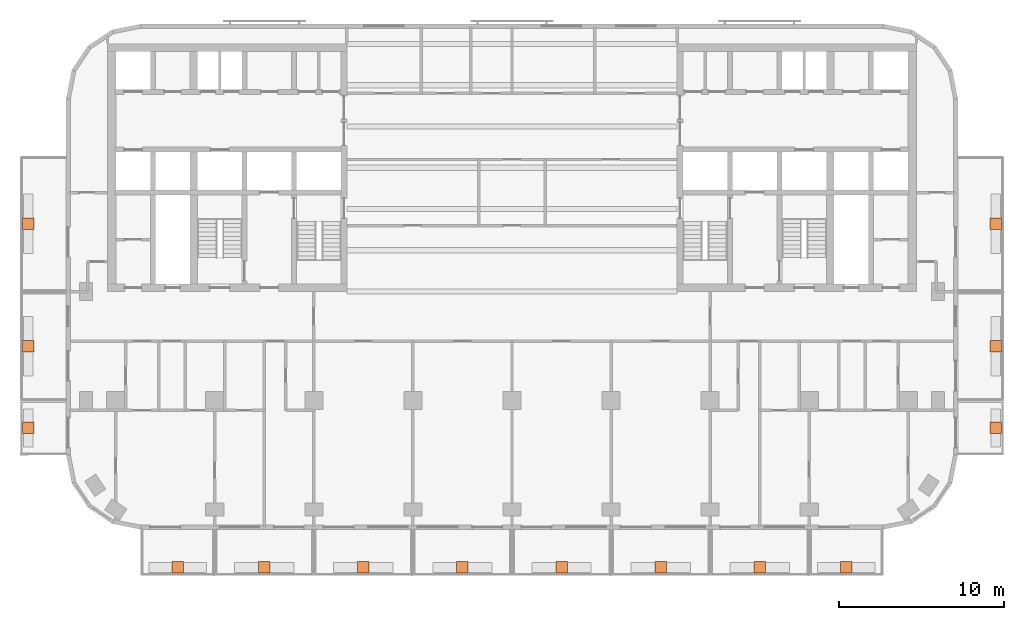
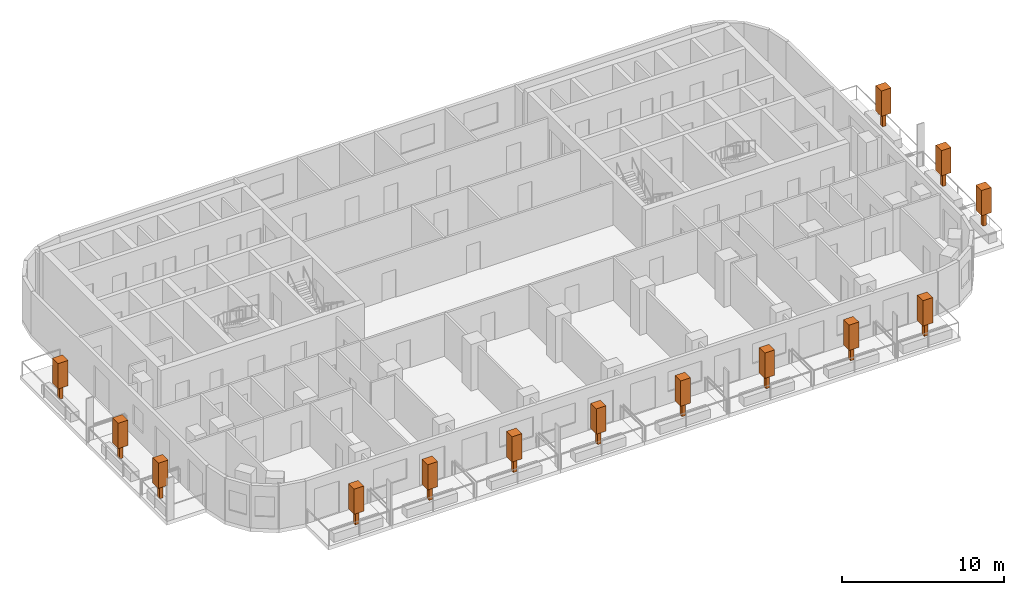
# One storey, part 12 of 12: 14 geographic elements.
"""IFC4 building model written with IfcOpenShell, lengths in metres."""

from ifc_helpers import new_model, si_unit, direction, frame, origin, origin_2d, place, context, subcontext, project, spatial, rectangle, extrude, material, element, save


model = new_model("IFC4")

# Units and contexts
model_context = context("Model", 3, precision=1e-05, world=origin(), true_north=direction((0.0, 1.0)))
body_context = subcontext(model_context, "Body", "Model", "MODEL_VIEW")
ifc_project = project(units=[si_unit("LENGTHUNIT", "METRE"), si_unit("AREAUNIT", "SQUARE_METRE"), si_unit("VOLUMEUNIT", "CUBIC_METRE"), si_unit("PLANEANGLEUNIT", "RADIAN"), si_unit("MASSUNIT", "GRAM", prefix="KILO")], contexts=[model_context])

# Site, building, storey
site_placement = place(None, origin())
site = spatial("IfcSite", under=ifc_project, at=site_placement, CompositionType="ELEMENT")
building_placement = place(site_placement, origin())
building = spatial("IfcBuilding", under=site, at=building_placement, Name="Torana Hotel and Residences", CompositionType="ELEMENT")
storey_placement = place(building_placement, frame((0.0, 0.0, 197.60009765625)))
storey = spatial("IfcBuildingStorey", under=building, at=storey_placement, Name="L51", CompositionType="ELEMENT", Elevation=197.60009765625)

# Geographic elements
ifc_material = material(Name="Foliage", Category="planting")
for number, where, z_axis, x_axis, name in (
    (1, (-20.25, -31.699951171875, 0.64990234375), (0.0, 0.0, 1.0), (1.0, 0.0, 0.0), "Tree 01"),
    (2, (-15.0, -31.699951171875, 0.64990234375), (0.0, 0.0, 1.0), (1.0, 0.0, 0.0), "Tree 02"),
    (3, (-9.0, -31.699951171875, 0.64990234375), (0.0, 0.0, 1.0), (1.0, 0.0, 0.0), "Tree 03"),
    (4, (-3.0, -31.699951171875, 0.64990234375), (0.0, 0.0, 1.0), (1.0, 0.0, 0.0), "Tree 04"),
    (5, (3.0, -31.699951171875, 0.64990234375), (0.0, 0.0, 1.0), (1.0, 0.0, 0.0), "Tree 05"),
    (6, (9.0, -31.699951171875, 0.64990234375), (0.0, 0.0, 1.0), (1.0, 0.0, 0.0), "Tree 06"),
    (7, (15.0, -31.699951171875, 0.64990234375), (0.0, 0.0, 1.0), (1.0, 0.0, 0.0), "Tree 07"),
    (8, (20.25, -31.699951171875, 0.64990234375), (0.0, 0.0, 1.0), (1.0, 0.0, 0.0), "Tree 08"),
    (9, (-29.300048828125, -23.25, 0.64990234375), (0.0, 0.0, 1.0), (1.0, 0.0, 0.0), "Tree 09"),
    (10, (-29.300048828125, -18.300048828125, 0.64990234375), (0.0, 0.0, 1.0), (1.0, 0.0, 0.0), "Tree 10"),
    (11, (-29.300048828125, -10.89990234375, 0.64990234375), (0.0, 0.0, 1.0), (1.0, 0.0, 0.0), "Tree 11"),
    (12, (29.300048828125, -23.25, 0.64990234375), (0.0, 0.0, 1.0), (1.0, 0.0, 0.0), "Tree 12"),
    (13, (29.300048828125, -18.300048828125, 0.64990234375), (0.0, 0.0, 1.0), (1.0, 0.0, 0.0), "Tree 13"),
    (14, (29.300048828125, -10.89990234375, 0.64990234375), (0.0, 0.0, 1.0), (1.0, 0.0, 0.0), "Tree 14"),
):
    element("IfcGeographicElement", number, at=place(storey_placement, frame(where, z_axis=z_axis, x_axis=x_axis)), inside=storey, material=ifc_material, Name=name, ObjectType="TREE", PredefinedType="USERDEFINED", context=body_context, shape_type="SweptSolid", body=[
        extrude(rectangle(XDim=0.25, YDim=0.25, at=origin_2d()), origin(), (0.0, 0.0, 1.0), 1.0),
        extrude(rectangle(XDim=0.699951171875, YDim=0.699951171875, at=origin_2d()), frame((0.0, 0.0, 1.0)), (0.0, 0.0, 1.0), 1.89990234375),
    ])

save(model, "model.ifc")
